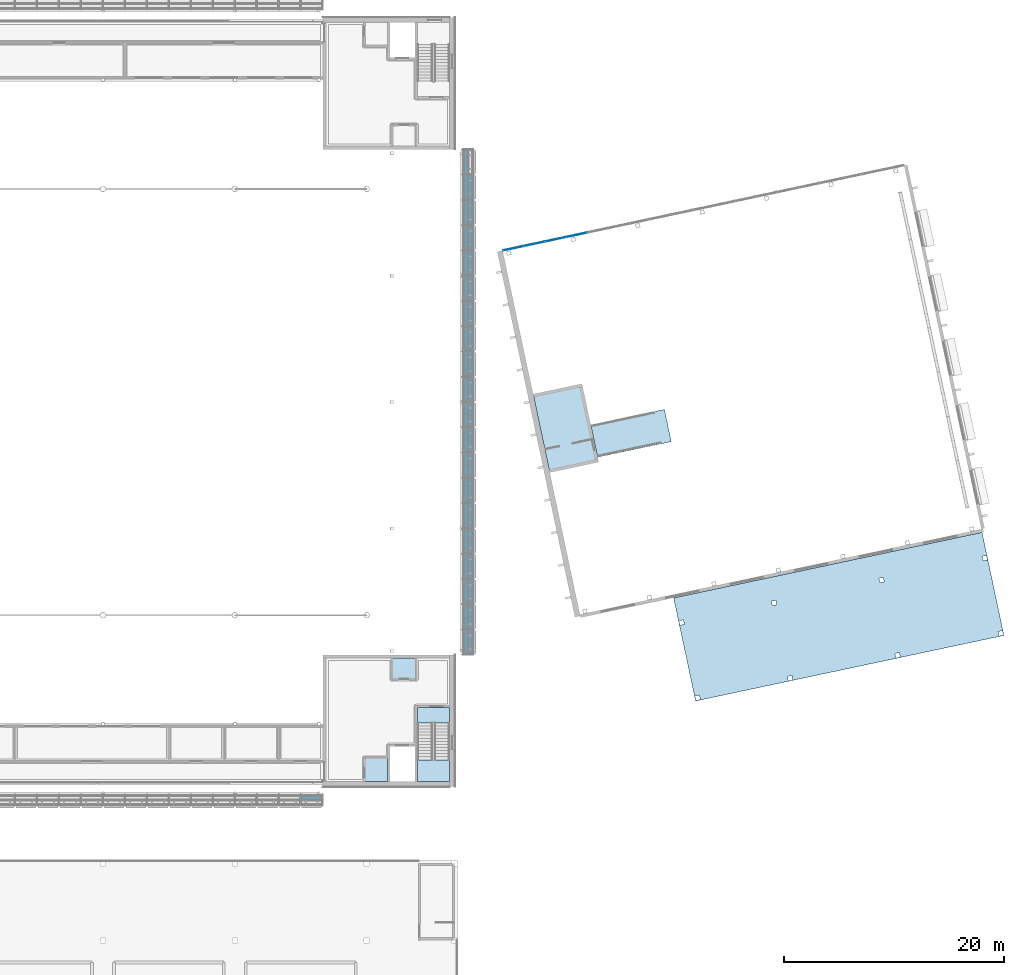
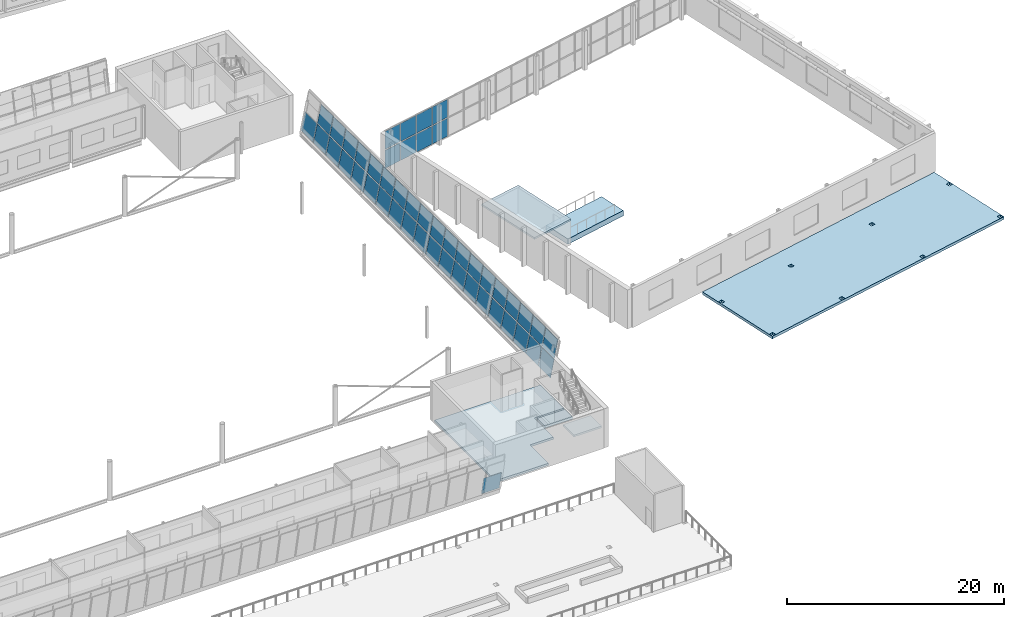
# One storey, part 45 of 95: 48 plates, 6 slabs, 4 elements without a shape of their own.
"""IFC4 building model written with IfcOpenShell, lengths in metres."""

from ifc_helpers import new_model, si_unit, direction, frame, origin, origin_2d, place, context, subcontext, project, spatial, polyline, rectangle, outline, extrude, material, layer, layer_set, type_object, element, aggregate, save


model = new_model("IFC4")

# Units and contexts
model_context = context("Model", 3, precision=1e-05, world=origin(), true_north=direction((0.0, 1.0)))
body_context = subcontext(model_context, "Body", "Model", "MODEL_VIEW")
ifc_project = project(units=[si_unit("LENGTHUNIT", "METRE"), si_unit("AREAUNIT", "SQUARE_METRE"), si_unit("VOLUMEUNIT", "CUBIC_METRE"), si_unit("PLANEANGLEUNIT", "RADIAN"), si_unit("MASSUNIT", "GRAM", prefix="KILO")], contexts=[model_context])

# Site, building, storey
site_placement = place(None, origin())
site = spatial("IfcSite", under=ifc_project, at=site_placement, CompositionType="ELEMENT")
building_placement = place(site_placement, origin())
building = spatial("IfcBuilding", under=site, at=building_placement, Name="Windward Yard Aquatics Centre", CompositionType="ELEMENT")
storey_placement = place(building_placement, frame((0.0, 0.0, 9.39990234375)))
storey = spatial("IfcBuildingStorey", under=building, at=storey_placement, Name="L02", CompositionType="ELEMENT", Elevation=9.39990234375)

# Curtain wall, plates
ifc_material_1 = material(Name="Aluminium and glass", Category="aluminium")
ifc_layer_1 = layer(ifc_material_1, 0.159912109375)
ifc_layer_set_1 = layer_set([ifc_layer_1], Name="D curtain wall 160")
curtain_wall_type_1 = type_object("IfcCurtainWallType", Name="D curtain wall 160", PredefinedType="NOTDEFINED", material=ifc_layer_set_1)
curtain_wall_1_placement = place(storey_placement, origin())
curtain_wall_1 = element("IfcCurtainWall", 1, at=curtain_wall_1_placement, inside=storey, type_object=curtain_wall_type_1, Name="North glazing L02", PredefinedType="NOTDEFINED")
ifc_material_2 = material(Name="Laminated low-iron glass", Category="glass")
ifc_layer_2 = layer(ifc_material_2, 0.028076171875)
ifc_layer_set_2 = layer_set([ifc_layer_2], Name="D curtain wall glass panel 28")
plate_type_1 = type_object("IfcPlateType", Name="D curtain wall glass panel 28", PredefinedType="CURTAIN_PANEL", material=ifc_layer_set_2)
plate_1_placement = place(storey_placement, frame((157.345947265625, 74.989501953125, 0.1201171875), z_axis=(0.0, 0.0, 1.0), x_axis=(0.978147594815, 0.207911718662, 0.0)))
plate_1 = element("IfcPlate", 2, at=plate_1_placement, type_object=plate_type_1, Name="DCW-L02 panel 1.1", PredefinedType="CURTAIN_PANEL", context=body_context, shape_type="SweptSolid", body=[
    extrude(rectangle(XDim=1.875732421875, YDim=0.028076171875, at=origin_2d()), origin(), (0.0, 0.0, 1.0), 2.02001953125),
])
plate_2_placement = place(storey_placement, frame((157.345947265625, 74.989501953125, 2.260009765625), z_axis=(0.0, 0.0, 1.0), x_axis=(0.978147594815, 0.207911718662, 0.0)))
plate_2 = element("IfcPlate", 3, at=plate_2_placement, type_object=plate_type_1, Name="DCW-L02 panel 1.2", PredefinedType="CURTAIN_PANEL", context=body_context, shape_type="SweptSolid", body=[
    extrude(rectangle(XDim=1.875732421875, YDim=0.028076171875, at=origin_2d()), origin(), (0.0, 0.0, 1.0), 2.02001953125),
])
plate_3_placement = place(storey_placement, frame((159.254150390625, 75.395263671875, 0.1201171875), z_axis=(0.0, 0.0, 1.0), x_axis=(0.978147594815, 0.207911718662, 0.0)))
plate_3 = element("IfcPlate", 4, at=plate_3_placement, type_object=plate_type_1, Name="DCW-L02 panel 2.1", PredefinedType="CURTAIN_PANEL", context=body_context, shape_type="SweptSolid", body=[
    extrude(rectangle(XDim=1.90576171875, YDim=0.028076171875, at=origin_2d()), origin(), (0.0, 0.0, 1.0), 2.02001953125),
])
plate_4_placement = place(storey_placement, frame((159.254150390625, 75.395263671875, 2.260009765625), z_axis=(0.0, 0.0, 1.0), x_axis=(0.978147594815, 0.207911718662, 0.0)))
plate_4 = element("IfcPlate", 5, at=plate_4_placement, type_object=plate_type_1, Name="DCW-L02 panel 2.2", PredefinedType="CURTAIN_PANEL", context=body_context, shape_type="SweptSolid", body=[
    extrude(rectangle(XDim=1.90576171875, YDim=0.028076171875, at=origin_2d()), origin(), (0.0, 0.0, 1.0), 2.02001953125),
])
plate_5_placement = place(storey_placement, frame((161.1767578125, 75.803955078125, 0.1201171875), z_axis=(0.0, 0.0, 1.0), x_axis=(0.978147594815, 0.207911718662, 0.0)))
plate_5 = element("IfcPlate", 6, at=plate_5_placement, type_object=plate_type_1, Name="DCW-L02 panel 3.1", PredefinedType="CURTAIN_PANEL", context=body_context, shape_type="SweptSolid", body=[
    extrude(rectangle(XDim=1.90576171875, YDim=0.028076171875, at=origin_2d()), origin(), (0.0, 0.0, 1.0), 2.02001953125),
])
plate_6_placement = place(storey_placement, frame((161.1767578125, 75.803955078125, 2.260009765625), z_axis=(0.0, 0.0, 1.0), x_axis=(0.978147594815, 0.207911718662, 0.0)))
plate_6 = element("IfcPlate", 7, at=plate_6_placement, type_object=plate_type_1, Name="DCW-L02 panel 3.2", PredefinedType="CURTAIN_PANEL", context=body_context, shape_type="SweptSolid", body=[
    extrude(rectangle(XDim=1.90576171875, YDim=0.028076171875, at=origin_2d()), origin(), (0.0, 0.0, 1.0), 2.02001953125),
])
plate_7_placement = place(storey_placement, frame((163.099609375, 76.212646484375, 0.1201171875), z_axis=(0.0, 0.0, 1.0), x_axis=(0.978147594815, 0.207911718662, 0.0)))
plate_7 = element("IfcPlate", 8, at=plate_7_placement, type_object=plate_type_1, Name="DCW-L02 panel 4.1", PredefinedType="CURTAIN_PANEL", context=body_context, shape_type="SweptSolid", body=[
    extrude(rectangle(XDim=1.90576171875, YDim=0.028076171875, at=origin_2d()), origin(), (0.0, 0.0, 1.0), 2.02001953125),
])
plate_8_placement = place(storey_placement, frame((163.099609375, 76.212646484375, 2.260009765625), z_axis=(0.0, 0.0, 1.0), x_axis=(0.978147594815, 0.207911718662, 0.0)))
plate_8 = element("IfcPlate", 9, at=plate_8_placement, type_object=plate_type_1, Name="DCW-L02 panel 4.2", PredefinedType="CURTAIN_PANEL", context=body_context, shape_type="SweptSolid", body=[
    extrude(rectangle(XDim=1.90576171875, YDim=0.028076171875, at=origin_2d()), origin(), (0.0, 0.0, 1.0), 2.02001953125),
])
aggregate(curtain_wall_1, [plate_1, plate_2, plate_3, plate_4, plate_5, plate_6, plate_7, plate_8])

# Slabs
ifc_material_3 = material(Name="Concrete C35/45", Category="concrete")
ifc_layer_3 = layer(ifc_material_3, 0.60009765625)
ifc_layer_set_3 = layer_set([ifc_layer_3], Name="D diving platform slab 600")
slab_type_1 = type_object("IfcSlabType", Name="D diving platform slab 600", PredefinedType="FLOOR", material=ifc_layer_set_3)
slab_1_placement = place(storey_placement, origin())
element("IfcSlab", 10, at=slab_1_placement, inside=storey, type_object=slab_type_1, Name="D.S.PF4", PredefinedType="FLOOR", context=body_context, shape_type="SweptSolid", body=[
    extrude(outline(polyline([(164.396484375, 58.904052734375), (165.020263671875, 55.969482421875), (171.720458984375, 57.393798828125), (171.0966796875, 60.328125), (164.396484375, 58.904052734375)])), origin(), (0.0, 0.0, 1.0), 0.60009765625),
])
ifc_material_4 = material(Name="Bituminous waterproofing membrane with root barrier")
ifc_layer_4 = layer(ifc_material_4, 0.005, Name="Waterproofing")
ifc_material_5 = material(Name="Mineral wool insulation")
ifc_layer_5 = layer(ifc_material_5, 0.08, Name="Insulation")
ifc_material_6 = material(Name="Cement screed laid to falls")
ifc_layer_6 = layer(ifc_material_6, 0.04, Name="Falls")
ifc_layer_7 = layer(ifc_material_3, 0.175, Name="Structure")
ifc_layer_set_4 = layer_set([ifc_layer_4, ifc_layer_5, ifc_layer_6, ifc_layer_7], Name="D roof slab 300")
slab_type_2 = type_object("IfcSlabType", Name="D roof slab 300", PredefinedType="ROOF", material=ifc_layer_set_4)
slab_2_placement = place(storey_placement, frame((0.0, 0.0, -0.2998046875)))
element("IfcSlab", 11, at=slab_2_placement, inside=storey, type_object=slab_type_2, Name="D.S.L02", PredefinedType="ROOF", context=body_context, shape_type="SweptSolid", body=[
    extrude(outline(polyline([(171.930908203125, 43.1767578125), (173.927001953125, 33.78662109375), (201.999755859375, 39.753662109375), (200.00390625, 49.143798828125), (171.930908203125, 43.1767578125)]), holes=[polyline([(173.882080078125, 34.2373046875), (174.2734375, 34.3203125), (174.356689453125, 33.92919921875), (173.96533203125, 33.845947265625), (173.882080078125, 34.2373046875)]), polyline([(182.294189453125, 36.025146484375), (182.685546875, 36.1083984375), (182.768798828125, 35.717041015625), (182.37744140625, 35.634033203125), (182.294189453125, 36.025146484375)]), polyline([(192.07568359375, 38.104248046875), (192.467041015625, 38.1875), (192.55029296875, 37.796142578125), (192.158935546875, 37.713134765625), (192.07568359375, 38.104248046875)]), polyline([(201.466064453125, 40.100341796875), (201.857421875, 40.18359375), (201.9404296875, 39.792236328125), (201.54931640625, 39.708984375), (201.466064453125, 40.100341796875)]), polyline([(172.4267578125, 41.084228515625), (172.818115234375, 41.16748046875), (172.9013671875, 40.776123046875), (172.510009765625, 40.693115234375), (172.4267578125, 41.084228515625)]), polyline([(180.8388671875, 42.872314453125), (181.230224609375, 42.955322265625), (181.313232421875, 42.564208984375), (180.922119140625, 42.48095703125), (180.8388671875, 42.872314453125)]), polyline([(190.620361328125, 44.951416015625), (191.01171875, 45.034423828125), (191.0947265625, 44.643310546875), (190.70361328125, 44.56005859375), (190.620361328125, 44.951416015625)]), polyline([(200.010498046875, 46.947265625), (200.40185546875, 47.030517578125), (200.485107421875, 46.63916015625), (200.09375, 46.55615234375), (200.010498046875, 46.947265625)])]), origin(), (0.0, 0.0, 1.0), 0.2998046875),
])
ifc_layer_8 = layer(ifc_material_3, 0.199951171875)
ifc_layer_set_5 = layer_set([ifc_layer_8], Name="D tower roof slab 200")
slab_type_3 = type_object("IfcSlabType", Name="D tower roof slab 200", PredefinedType="ROOF", material=ifc_layer_set_5)
slab_3_placement = place(storey_placement, frame((0.0, 0.0, 2.900146484375)))
element("IfcSlab", 12, at=slab_3_placement, inside=storey, type_object=slab_type_3, Name="D.S.TCR", PredefinedType="ROOF", context=body_context, shape_type="SweptSolid", body=[
    extrude(outline(polyline([(159.1455078125, 61.723876953125), (160.6630859375, 54.58349609375), (165.11376953125, 55.529296875), (163.595947265625, 62.669921875), (159.1455078125, 61.723876953125)])), origin(), (0.0, 0.0, 1.0), 0.199951171875),
])
ifc_layer_9 = layer(ifc_material_3, 0.25)
ifc_layer_set_6 = layer_set([ifc_layer_9], Name="H Core Floor Concrete C35/45 250")
slab_type_4 = type_object("IfcSlabType", Name="H Core Floor Concrete C35/45 250", PredefinedType="FLOOR", material=ifc_layer_set_6)
slab_4_placement = place(storey_placement, frame((0.0, 0.0, -0.25)))
element("IfcSlab", 13, at=slab_4_placement, inside=storey, type_object=slab_type_4, Name="L02 core floor SE", PredefinedType="FLOOR", context=body_context, shape_type="SweptSolid", body=[
    extrude(outline(polyline([(140.300048828125, 26.449951171875), (145.89990234375, 26.449951171875), (145.89990234375, 29.85009765625), (148.39990234375, 29.85009765625), (148.39990234375, 33.39990234375), (151.550048828125, 33.39990234375), (151.550048828125, 37.699951171875), (140.300048828125, 37.699951171875), (140.300048828125, 26.449951171875)])), origin(), (0.0, 0.0, 1.0), 0.25),
])
slab_5_placement = place(storey_placement, frame((0.0, 0.0, -0.25)))
element("IfcSlab", 14, at=slab_5_placement, inside=storey, type_object=slab_type_4, Name="L02 stair floor landing SE", PredefinedType="FLOOR", context=body_context, shape_type="SweptSolid", body=[
    extrude(outline(polyline([(148.60009765625, 31.800048828125), (151.550048828125, 31.800048828125), (151.550048828125, 33.199951171875), (148.60009765625, 33.199951171875), (148.60009765625, 31.800048828125)])), origin(), (0.0, 0.0, 1.0), 0.25),
])

# Stair, slab
stair_type = type_object("IfcStairType", Name="H Core Stair Concrete C35/45 1400", PredefinedType="HALF_TURN_STAIR", material=ifc_material_3)
stair_placement = place(storey_placement, origin())
stair = element("IfcStair", 15, at=stair_placement, inside=storey, type_object=stair_type, Name="L02 Stair SE", PredefinedType="HALF_TURN_STAIR")
ifc_layer_10 = layer(ifc_material_3, 0.199951171875)
ifc_layer_set_7 = layer_set([ifc_layer_10], Name="H Stair Landing Concrete C35/45 200")
slab_type_5 = type_object("IfcSlabType", Name="H Stair Landing Concrete C35/45 200", PredefinedType="LANDING", material=ifc_layer_set_7)
slab_6_placement = place(storey_placement, frame((0.0, 0.0, 2.0)))
slab_6 = element("IfcSlab", 16, at=slab_6_placement, type_object=slab_type_5, Name="ST2 landing 1", PredefinedType="LANDING", context=body_context, shape_type="SweptSolid", body=[
    extrude(outline(polyline([(148.60009765625, 26.449951171875), (151.550048828125, 26.449951171875), (151.550048828125, 28.43994140625), (148.60009765625, 28.43994140625), (148.60009765625, 26.449951171875)])), origin(), (0.0, 0.0, 1.0), 0.2001953125),
])
aggregate(stair, [slab_6])

# Curtain wall, plate
ifc_material_7 = material(Name="Glass and aluminium curtain wall", Category="aluminium")
ifc_layer_11 = layer(ifc_material_7, 0.179931640625)
ifc_layer_set_8 = layer_set([ifc_layer_11], Name="H curtain wall tier 1 double glazed 8+16+8")
curtain_wall_type_2 = type_object("IfcCurtainWallType", Name="H curtain wall tier 1 double glazed 8+16+8", PredefinedType="NOTDEFINED", material=ifc_layer_set_8)
curtain_wall_2_placement = place(storey_placement, origin())
curtain_wall_2 = element("IfcCurtainWall", 17, at=curtain_wall_2_placement, inside=storey, type_object=curtain_wall_type_2, Name="Tier 1 glazing S L02", PredefinedType="NOTDEFINED")
ifc_material_8 = material(Name="Low-iron glass", Category="glass")
ifc_layer_12 = layer(ifc_material_8, 0.008, Name="Outer pane")
ifc_material_9 = material(Name="Argon-filled cavity")
ifc_layer_13 = layer(ifc_material_9, 0.016, Name="Cavity")
ifc_layer_14 = layer(ifc_material_8, 0.008, Name="Inner pane")
ifc_layer_set_9 = layer_set([ifc_layer_12, ifc_layer_13, ifc_layer_14], Name="H tier 1 glass low-e double glazed unit 32")
plate_type_2 = type_object("IfcPlateType", Name="H tier 1 glass low-e double glazed unit 32", PredefinedType="CURTAIN_PANEL", material=ifc_layer_set_9)
plate_9_placement = place(storey_placement, frame((138.03271484375, 24.7900390625, 2.079345703125), z_axis=(0.0, 0.979933459069, 0.199324900092), x_axis=(0.0, 0.199324900092, -0.979933459069)))
plate_9 = element("IfcPlate", 18, at=plate_9_placement, type_object=plate_type_2, Name="G1SB panel 19.1", PredefinedType="CURTAIN_PANEL", context=body_context, shape_type="SweptSolid", body=[
    extrude(outline(polyline([(0.0, 0.0), (2.018532, 0.0), (2.018532, -1.902344), (0.0, -1.902344), (0.0, 0.0)])), origin(), (0.0, 0.0, -1.0), 0.031982421875),
])
aggregate(curtain_wall_2, [plate_9])

# Curtain wall, plates
curtain_wall_3_placement = place(storey_placement, origin())
curtain_wall_3 = element("IfcCurtainWall", 19, at=curtain_wall_3_placement, inside=storey, type_object=curtain_wall_type_2, Name="Tier 1 glazing E L02", PredefinedType="NOTDEFINED")
plate_10_placement = place(storey_placement, frame((152.8076171875, 38.06494140625, 0.101318359375), z_axis=(-0.979933459069, 0.0, 0.199324900092), x_axis=(0.0, 1.0, 0.0)))
plate_10 = element("IfcPlate", 20, at=plate_10_placement, type_object=plate_type_2, Name="G1EA panel 1.1", PredefinedType="CURTAIN_PANEL", context=body_context, shape_type="SweptSolid", body=[
    extrude(outline(polyline([(0.0, 0.0), (2.202637, 0.0), (2.202637, -2.018532), (0.0, -2.018532), (0.0, 0.0)])), origin(), (0.0, 0.0, -1.0), 0.031982421875),
])
plate_11_placement = place(storey_placement, frame((153.22998046875, 38.06494140625, 2.17724609375), z_axis=(-0.979926619255, 0.0, 0.199358523457), x_axis=(0.0, 1.0, 0.0)))
plate_11 = element("IfcPlate", 21, at=plate_11_placement, type_object=plate_type_2, Name="G1EA panel 1.2", PredefinedType="CURTAIN_PANEL", context=body_context, shape_type="SweptSolid", body=[
    extrude(outline(polyline([(0.0, 0.0), (2.202637, 0.0), (2.202637, -2.012069), (0.0, -2.012069), (0.0, 0.0)])), origin(), (0.0, 0.0, -1.0), 0.031982421875),
])
plate_12_placement = place(storey_placement, frame((152.8076171875, 40.33251953125, 0.101318359375), z_axis=(-0.979933459069, 0.0, 0.199324900092), x_axis=(0.0, 1.0, 0.0)))
plate_12 = element("IfcPlate", 22, at=plate_12_placement, type_object=plate_type_2, Name="G1EA panel 2.1", PredefinedType="CURTAIN_PANEL", context=body_context, shape_type="SweptSolid", body=[
    extrude(outline(polyline([(0.0, 0.0), (2.234863, 0.0), (2.234863, -2.018532), (0.0, -2.018532), (0.0, 0.0)])), origin(), (0.0, 0.0, -1.0), 0.031982421875),
])
plate_13_placement = place(storey_placement, frame((153.22998046875, 40.33251953125, 2.17724609375), z_axis=(-0.979926619255, 0.0, 0.199358523457), x_axis=(0.0, 1.0, 0.0)))
plate_13 = element("IfcPlate", 23, at=plate_13_placement, type_object=plate_type_2, Name="G1EA panel 2.2", PredefinedType="CURTAIN_PANEL", context=body_context, shape_type="SweptSolid", body=[
    extrude(outline(polyline([(0.0, 0.0), (2.234863, 0.0), (2.234863, -2.012069), (0.0, -2.012069), (0.0, 0.0)])), origin(), (0.0, 0.0, -1.0), 0.031982421875),
])
plate_14_placement = place(storey_placement, frame((152.8076171875, 42.632568359375, 0.101318359375), z_axis=(-0.979933459069, 0.0, 0.199324900092), x_axis=(0.0, 1.0, 0.0)))
plate_14 = element("IfcPlate", 24, at=plate_14_placement, type_object=plate_type_2, Name="G1EA panel 3.1", PredefinedType="CURTAIN_PANEL", context=body_context, shape_type="SweptSolid", body=[
    extrude(outline(polyline([(0.0, 0.0), (2.234863, 0.0), (2.234863, -2.018532), (0.0, -2.018532), (0.0, 0.0)])), origin(), (0.0, 0.0, -1.0), 0.031982421875),
])
plate_15_placement = place(storey_placement, frame((153.22998046875, 42.632568359375, 2.17724609375), z_axis=(-0.979926619255, 0.0, 0.199358523457), x_axis=(0.0, 1.0, 0.0)))
plate_15 = element("IfcPlate", 25, at=plate_15_placement, type_object=plate_type_2, Name="G1EA panel 3.2", PredefinedType="CURTAIN_PANEL", context=body_context, shape_type="SweptSolid", body=[
    extrude(outline(polyline([(0.0, 0.0), (2.234863, 0.0), (2.234863, -2.012069), (0.0, -2.012069), (0.0, 0.0)])), origin(), (0.0, 0.0, -1.0), 0.031982421875),
])
plate_16_placement = place(storey_placement, frame((152.8076171875, 44.9326171875, 0.101318359375), z_axis=(-0.979933459069, 0.0, 0.199324900092), x_axis=(0.0, 1.0, 0.0)))
plate_16 = element("IfcPlate", 26, at=plate_16_placement, type_object=plate_type_2, Name="G1EA panel 4.1", PredefinedType="CURTAIN_PANEL", context=body_context, shape_type="SweptSolid", body=[
    extrude(outline(polyline([(0.0, 0.0), (2.234863, 0.0), (2.234863, -2.018532), (0.0, -2.018532), (0.0, 0.0)])), origin(), (0.0, 0.0, -1.0), 0.031982421875),
])
plate_17_placement = place(storey_placement, frame((153.22998046875, 44.9326171875, 2.17724609375), z_axis=(-0.979926619255, 0.0, 0.199358523457), x_axis=(0.0, 1.0, 0.0)))
plate_17 = element("IfcPlate", 27, at=plate_17_placement, type_object=plate_type_2, Name="G1EA panel 4.2", PredefinedType="CURTAIN_PANEL", context=body_context, shape_type="SweptSolid", body=[
    extrude(outline(polyline([(0.0, 0.0), (2.234863, 0.0), (2.234863, -2.012069), (0.0, -2.012069), (0.0, 0.0)])), origin(), (0.0, 0.0, -1.0), 0.031982421875),
])
plate_18_placement = place(storey_placement, frame((152.8076171875, 47.232421875, 0.101318359375), z_axis=(-0.979933459069, 0.0, 0.199324900092), x_axis=(0.0, 1.0, 0.0)))
plate_18 = element("IfcPlate", 28, at=plate_18_placement, type_object=plate_type_2, Name="G1EA panel 5.1", PredefinedType="CURTAIN_PANEL", context=body_context, shape_type="SweptSolid", body=[
    extrude(outline(polyline([(0.0, 0.0), (2.235107, 0.0), (2.235107, -2.018532), (0.0, -2.018532), (0.0, 0.0)])), origin(), (0.0, 0.0, -1.0), 0.031982421875),
])
plate_19_placement = place(storey_placement, frame((153.22998046875, 47.232421875, 2.17724609375), z_axis=(-0.979926619255, 0.0, 0.199358523457), x_axis=(0.0, 1.0, 0.0)))
plate_19 = element("IfcPlate", 29, at=plate_19_placement, type_object=plate_type_2, Name="G1EA panel 5.2", PredefinedType="CURTAIN_PANEL", context=body_context, shape_type="SweptSolid", body=[
    extrude(outline(polyline([(0.0, 0.0), (2.235107, 0.0), (2.235107, -2.012069), (0.0, -2.012069), (0.0, 0.0)])), origin(), (0.0, 0.0, -1.0), 0.031982421875),
])
plate_20_placement = place(storey_placement, frame((152.8076171875, 49.532470703125, 0.101318359375), z_axis=(-0.979933459069, 0.0, 0.199324900092), x_axis=(0.0, 1.0, 0.0)))
plate_20 = element("IfcPlate", 30, at=plate_20_placement, type_object=plate_type_2, Name="G1EA panel 6.1", PredefinedType="CURTAIN_PANEL", context=body_context, shape_type="SweptSolid", body=[
    extrude(outline(polyline([(0.0, 0.0), (2.235107, 0.0), (2.235107, -2.018532), (0.0, -2.018532), (0.0, 0.0)])), origin(), (0.0, 0.0, -1.0), 0.031982421875),
])
plate_21_placement = place(storey_placement, frame((153.22998046875, 49.532470703125, 2.17724609375), z_axis=(-0.979926619255, 0.0, 0.199358523457), x_axis=(0.0, 1.0, 0.0)))
plate_21 = element("IfcPlate", 31, at=plate_21_placement, type_object=plate_type_2, Name="G1EA panel 6.2", PredefinedType="CURTAIN_PANEL", context=body_context, shape_type="SweptSolid", body=[
    extrude(outline(polyline([(0.0, 0.0), (2.235107, 0.0), (2.235107, -2.012069), (0.0, -2.012069), (0.0, 0.0)])), origin(), (0.0, 0.0, -1.0), 0.031982421875),
])
plate_22_placement = place(storey_placement, frame((152.8076171875, 51.83251953125, 0.101318359375), z_axis=(-0.979933459069, 0.0, 0.199324900092), x_axis=(0.0, 1.0, 0.0)))
plate_22 = element("IfcPlate", 32, at=plate_22_placement, type_object=plate_type_2, Name="G1EA panel 7.1", PredefinedType="CURTAIN_PANEL", context=body_context, shape_type="SweptSolid", body=[
    extrude(outline(polyline([(0.0, 0.0), (2.234863, 0.0), (2.234863, -2.018532), (0.0, -2.018532), (0.0, 0.0)])), origin(), (0.0, 0.0, -1.0), 0.031982421875),
])
plate_23_placement = place(storey_placement, frame((153.22998046875, 51.83251953125, 2.17724609375), z_axis=(-0.979926619255, 0.0, 0.199358523457), x_axis=(0.0, 1.0, 0.0)))
plate_23 = element("IfcPlate", 33, at=plate_23_placement, type_object=plate_type_2, Name="G1EA panel 7.2", PredefinedType="CURTAIN_PANEL", context=body_context, shape_type="SweptSolid", body=[
    extrude(outline(polyline([(0.0, 0.0), (2.234863, 0.0), (2.234863, -2.012069), (0.0, -2.012069), (0.0, 0.0)])), origin(), (0.0, 0.0, -1.0), 0.031982421875),
])
plate_24_placement = place(storey_placement, frame((152.8076171875, 54.132568359375, 0.101318359375), z_axis=(-0.979933459069, 0.0, 0.199324900092), x_axis=(0.0, 1.0, 0.0)))
plate_24 = element("IfcPlate", 34, at=plate_24_placement, type_object=plate_type_2, Name="G1EA panel 8.1", PredefinedType="CURTAIN_PANEL", context=body_context, shape_type="SweptSolid", body=[
    extrude(outline(polyline([(0.0, 0.0), (2.234863, 0.0), (2.234863, -2.018532), (0.0, -2.018532), (0.0, 0.0)])), origin(), (0.0, 0.0, -1.0), 0.031982421875),
])
plate_25_placement = place(storey_placement, frame((153.22998046875, 54.132568359375, 2.17724609375), z_axis=(-0.979926619255, 0.0, 0.199358523457), x_axis=(0.0, 1.0, 0.0)))
plate_25 = element("IfcPlate", 35, at=plate_25_placement, type_object=plate_type_2, Name="G1EA panel 8.2", PredefinedType="CURTAIN_PANEL", context=body_context, shape_type="SweptSolid", body=[
    extrude(outline(polyline([(0.0, 0.0), (2.234863, 0.0), (2.234863, -2.012069), (0.0, -2.012069), (0.0, 0.0)])), origin(), (0.0, 0.0, -1.0), 0.031982421875),
])
plate_26_placement = place(storey_placement, frame((152.8076171875, 56.4326171875, 0.101318359375), z_axis=(-0.979933459069, 0.0, 0.199324900092), x_axis=(0.0, 1.0, 0.0)))
plate_26 = element("IfcPlate", 36, at=plate_26_placement, type_object=plate_type_2, Name="G1EA panel 9.1", PredefinedType="CURTAIN_PANEL", context=body_context, shape_type="SweptSolid", body=[
    extrude(outline(polyline([(0.0, 0.0), (2.234863, 0.0), (2.234863, -2.018532), (0.0, -2.018532), (0.0, 0.0)])), origin(), (0.0, 0.0, -1.0), 0.031982421875),
])
plate_27_placement = place(storey_placement, frame((153.22998046875, 56.4326171875, 2.17724609375), z_axis=(-0.979926619255, 0.0, 0.199358523457), x_axis=(0.0, 1.0, 0.0)))
plate_27 = element("IfcPlate", 37, at=plate_27_placement, type_object=plate_type_2, Name="G1EA panel 9.2", PredefinedType="CURTAIN_PANEL", context=body_context, shape_type="SweptSolid", body=[
    extrude(outline(polyline([(0.0, 0.0), (2.234863, 0.0), (2.234863, -2.012069), (0.0, -2.012069), (0.0, 0.0)])), origin(), (0.0, 0.0, -1.0), 0.031982421875),
])
plate_28_placement = place(storey_placement, frame((152.8076171875, 58.732421875, 0.101318359375), z_axis=(-0.979933459069, 0.0, 0.199324900092), x_axis=(0.0, 1.0, 0.0)))
plate_28 = element("IfcPlate", 38, at=plate_28_placement, type_object=plate_type_2, Name="G1EA panel 10.1", PredefinedType="CURTAIN_PANEL", context=body_context, shape_type="SweptSolid", body=[
    extrude(outline(polyline([(0.0, 0.0), (2.235107, 0.0), (2.235107, -2.018532), (0.0, -2.018532), (0.0, 0.0)])), origin(), (0.0, 0.0, -1.0), 0.031982421875),
])
plate_29_placement = place(storey_placement, frame((153.22998046875, 58.732421875, 2.17724609375), z_axis=(-0.979926619255, 0.0, 0.199358523457), x_axis=(0.0, 1.0, 0.0)))
plate_29 = element("IfcPlate", 39, at=plate_29_placement, type_object=plate_type_2, Name="G1EA panel 10.2", PredefinedType="CURTAIN_PANEL", context=body_context, shape_type="SweptSolid", body=[
    extrude(outline(polyline([(0.0, 0.0), (2.235107, 0.0), (2.235107, -2.012069), (0.0, -2.012069), (0.0, 0.0)])), origin(), (0.0, 0.0, -1.0), 0.031982421875),
])
plate_30_placement = place(storey_placement, frame((152.8076171875, 61.032470703125, 0.101318359375), z_axis=(-0.979933459069, 0.0, 0.199324900092), x_axis=(0.0, 1.0, 0.0)))
plate_30 = element("IfcPlate", 40, at=plate_30_placement, type_object=plate_type_2, Name="G1EA panel 11.1", PredefinedType="CURTAIN_PANEL", context=body_context, shape_type="SweptSolid", body=[
    extrude(outline(polyline([(0.0, 0.0), (2.235107, 0.0), (2.235107, -2.018532), (0.0, -2.018532), (0.0, 0.0)])), origin(), (0.0, 0.0, -1.0), 0.031982421875),
])
plate_31_placement = place(storey_placement, frame((153.22998046875, 61.032470703125, 2.17724609375), z_axis=(-0.979926619255, 0.0, 0.199358523457), x_axis=(0.0, 1.0, 0.0)))
plate_31 = element("IfcPlate", 41, at=plate_31_placement, type_object=plate_type_2, Name="G1EA panel 11.2", PredefinedType="CURTAIN_PANEL", context=body_context, shape_type="SweptSolid", body=[
    extrude(outline(polyline([(0.0, 0.0), (2.235107, 0.0), (2.235107, -2.012069), (0.0, -2.012069), (0.0, 0.0)])), origin(), (0.0, 0.0, -1.0), 0.031982421875),
])
plate_32_placement = place(storey_placement, frame((152.8076171875, 63.33251953125, 0.101318359375), z_axis=(-0.979933459069, 0.0, 0.199324900092), x_axis=(0.0, 1.0, 0.0)))
plate_32 = element("IfcPlate", 42, at=plate_32_placement, type_object=plate_type_2, Name="G1EA panel 12.1", PredefinedType="CURTAIN_PANEL", context=body_context, shape_type="SweptSolid", body=[
    extrude(outline(polyline([(0.0, 0.0), (2.234863, 0.0), (2.234863, -2.018532), (0.0, -2.018532), (0.0, 0.0)])), origin(), (0.0, 0.0, -1.0), 0.031982421875),
])
plate_33_placement = place(storey_placement, frame((153.22998046875, 63.33251953125, 2.17724609375), z_axis=(-0.979926619255, 0.0, 0.199358523457), x_axis=(0.0, 1.0, 0.0)))
plate_33 = element("IfcPlate", 43, at=plate_33_placement, type_object=plate_type_2, Name="G1EA panel 12.2", PredefinedType="CURTAIN_PANEL", context=body_context, shape_type="SweptSolid", body=[
    extrude(outline(polyline([(0.0, 0.0), (2.234863, 0.0), (2.234863, -2.012069), (0.0, -2.012069), (0.0, 0.0)])), origin(), (0.0, 0.0, -1.0), 0.031982421875),
])
plate_34_placement = place(storey_placement, frame((152.8076171875, 65.632568359375, 0.101318359375), z_axis=(-0.979933459069, 0.0, 0.199324900092), x_axis=(0.0, 1.0, 0.0)))
plate_34 = element("IfcPlate", 44, at=plate_34_placement, type_object=plate_type_2, Name="G1EA panel 13.1", PredefinedType="CURTAIN_PANEL", context=body_context, shape_type="SweptSolid", body=[
    extrude(outline(polyline([(0.0, 0.0), (2.234863, 0.0), (2.234863, -2.018532), (0.0, -2.018532), (0.0, 0.0)])), origin(), (0.0, 0.0, -1.0), 0.031982421875),
])
plate_35_placement = place(storey_placement, frame((153.22998046875, 65.632568359375, 2.17724609375), z_axis=(-0.979926619255, 0.0, 0.199358523457), x_axis=(0.0, 1.0, 0.0)))
plate_35 = element("IfcPlate", 45, at=plate_35_placement, type_object=plate_type_2, Name="G1EA panel 13.2", PredefinedType="CURTAIN_PANEL", context=body_context, shape_type="SweptSolid", body=[
    extrude(outline(polyline([(0.0, 0.0), (2.234863, 0.0), (2.234863, -2.012069), (0.0, -2.012069), (0.0, 0.0)])), origin(), (0.0, 0.0, -1.0), 0.031982421875),
])
plate_36_placement = place(storey_placement, frame((152.8076171875, 67.9326171875, 0.101318359375), z_axis=(-0.979933459069, 0.0, 0.199324900092), x_axis=(0.0, 1.0, 0.0)))
plate_36 = element("IfcPlate", 46, at=plate_36_placement, type_object=plate_type_2, Name="G1EA panel 14.1", PredefinedType="CURTAIN_PANEL", context=body_context, shape_type="SweptSolid", body=[
    extrude(outline(polyline([(0.0, 0.0), (2.234863, 0.0), (2.234863, -2.018532), (0.0, -2.018532), (0.0, 0.0)])), origin(), (0.0, 0.0, -1.0), 0.031982421875),
])
plate_37_placement = place(storey_placement, frame((153.22998046875, 67.9326171875, 2.17724609375), z_axis=(-0.979926619255, 0.0, 0.199358523457), x_axis=(0.0, 1.0, 0.0)))
plate_37 = element("IfcPlate", 47, at=plate_37_placement, type_object=plate_type_2, Name="G1EA panel 14.2", PredefinedType="CURTAIN_PANEL", context=body_context, shape_type="SweptSolid", body=[
    extrude(outline(polyline([(0.0, 0.0), (2.234863, 0.0), (2.234863, -2.012069), (0.0, -2.012069), (0.0, 0.0)])), origin(), (0.0, 0.0, -1.0), 0.031982421875),
])
plate_38_placement = place(storey_placement, frame((152.8076171875, 70.232421875, 0.101318359375), z_axis=(-0.979933459069, 0.0, 0.199324900092), x_axis=(0.0, 1.0, 0.0)))
plate_38 = element("IfcPlate", 48, at=plate_38_placement, type_object=plate_type_2, Name="G1EA panel 15.1", PredefinedType="CURTAIN_PANEL", context=body_context, shape_type="SweptSolid", body=[
    extrude(outline(polyline([(0.0, 0.0), (2.235107, 0.0), (2.235107, -2.018532), (0.0, -2.018532), (0.0, 0.0)])), origin(), (0.0, 0.0, -1.0), 0.031982421875),
])
plate_39_placement = place(storey_placement, frame((153.22998046875, 70.232421875, 2.17724609375), z_axis=(-0.979926619255, 0.0, 0.199358523457), x_axis=(0.0, 1.0, 0.0)))
plate_39 = element("IfcPlate", 49, at=plate_39_placement, type_object=plate_type_2, Name="G1EA panel 15.2", PredefinedType="CURTAIN_PANEL", context=body_context, shape_type="SweptSolid", body=[
    extrude(outline(polyline([(0.0, 0.0), (2.235107, 0.0), (2.235107, -2.012069), (0.0, -2.012069), (0.0, 0.0)])), origin(), (0.0, 0.0, -1.0), 0.031982421875),
])
plate_40_placement = place(storey_placement, frame((152.8076171875, 72.532470703125, 0.101318359375), z_axis=(-0.979933459069, 0.0, 0.199324900092), x_axis=(0.0, 1.0, 0.0)))
plate_40 = element("IfcPlate", 50, at=plate_40_placement, type_object=plate_type_2, Name="G1EA panel 16.1", PredefinedType="CURTAIN_PANEL", context=body_context, shape_type="SweptSolid", body=[
    extrude(outline(polyline([(0.0, 0.0), (2.235107, 0.0), (2.235107, -2.018532), (0.0, -2.018532), (0.0, 0.0)])), origin(), (0.0, 0.0, -1.0), 0.031982421875),
])
plate_41_placement = place(storey_placement, frame((153.22998046875, 72.532470703125, 2.17724609375), z_axis=(-0.979926619255, 0.0, 0.199358523457), x_axis=(0.0, 1.0, 0.0)))
plate_41 = element("IfcPlate", 51, at=plate_41_placement, type_object=plate_type_2, Name="G1EA panel 16.2", PredefinedType="CURTAIN_PANEL", context=body_context, shape_type="SweptSolid", body=[
    extrude(outline(polyline([(0.0, 0.0), (2.235107, 0.0), (2.235107, -2.012069), (0.0, -2.012069), (0.0, 0.0)])), origin(), (0.0, 0.0, -1.0), 0.031982421875),
])
plate_42_placement = place(storey_placement, frame((152.8076171875, 74.83251953125, 0.101318359375), z_axis=(-0.979933459069, 0.0, 0.199324900092), x_axis=(0.0, 1.0, 0.0)))
plate_42 = element("IfcPlate", 52, at=plate_42_placement, type_object=plate_type_2, Name="G1EA panel 17.1", PredefinedType="CURTAIN_PANEL", context=body_context, shape_type="SweptSolid", body=[
    extrude(outline(polyline([(0.0, 0.0), (2.234863, 0.0), (2.234863, -2.018532), (0.0, -2.018532), (0.0, 0.0)])), origin(), (0.0, 0.0, -1.0), 0.031982421875),
])
plate_43_placement = place(storey_placement, frame((153.22998046875, 74.83251953125, 2.17724609375), z_axis=(-0.979926619255, 0.0, 0.199358523457), x_axis=(0.0, 1.0, 0.0)))
plate_43 = element("IfcPlate", 53, at=plate_43_placement, type_object=plate_type_2, Name="G1EA panel 17.2", PredefinedType="CURTAIN_PANEL", context=body_context, shape_type="SweptSolid", body=[
    extrude(outline(polyline([(0.0, 0.0), (2.234863, 0.0), (2.234863, -2.012069), (0.0, -2.012069), (0.0, 0.0)])), origin(), (0.0, 0.0, -1.0), 0.031982421875),
])
plate_44_placement = place(storey_placement, frame((152.8076171875, 77.132568359375, 0.101318359375), z_axis=(-0.979933459069, 0.0, 0.199324900092), x_axis=(0.0, 1.0, 0.0)))
plate_44 = element("IfcPlate", 54, at=plate_44_placement, type_object=plate_type_2, Name="G1EA panel 18.1", PredefinedType="CURTAIN_PANEL", context=body_context, shape_type="SweptSolid", body=[
    extrude(outline(polyline([(0.0, 0.0), (2.234863, 0.0), (2.234863, -2.018532), (0.0, -2.018532), (0.0, 0.0)])), origin(), (0.0, 0.0, -1.0), 0.031982421875),
])
plate_45_placement = place(storey_placement, frame((153.22998046875, 77.132568359375, 2.17724609375), z_axis=(-0.979926619255, 0.0, 0.199358523457), x_axis=(0.0, 1.0, 0.0)))
plate_45 = element("IfcPlate", 55, at=plate_45_placement, type_object=plate_type_2, Name="G1EA panel 18.2", PredefinedType="CURTAIN_PANEL", context=body_context, shape_type="SweptSolid", body=[
    extrude(outline(polyline([(0.0, 0.0), (2.234863, 0.0), (2.234863, -2.012069), (0.0, -2.012069), (0.0, 0.0)])), origin(), (0.0, 0.0, -1.0), 0.031982421875),
])
plate_46_placement = place(storey_placement, frame((152.8076171875, 79.4326171875, 0.101318359375), z_axis=(-0.979933459069, 0.0, 0.199324900092), x_axis=(0.0, 1.0, 0.0)))
plate_46 = element("IfcPlate", 56, at=plate_46_placement, type_object=plate_type_2, Name="G1EA panel 19.1", PredefinedType="CURTAIN_PANEL", context=body_context, shape_type="SweptSolid", body=[
    extrude(outline(polyline([(0.0, 0.0), (2.234863, 0.0), (2.234863, -2.018532), (0.0, -2.018532), (0.0, 0.0)])), origin(), (0.0, 0.0, -1.0), 0.031982421875),
])
plate_47_placement = place(storey_placement, frame((153.22998046875, 79.4326171875, 2.17724609375), z_axis=(-0.979926619255, 0.0, 0.199358523457), x_axis=(0.0, 1.0, 0.0)))
plate_47 = element("IfcPlate", 57, at=plate_47_placement, type_object=plate_type_2, Name="G1EA panel 19.2", PredefinedType="CURTAIN_PANEL", context=body_context, shape_type="SweptSolid", body=[
    extrude(outline(polyline([(0.0, 0.0), (2.234863, 0.0), (2.234863, -2.012069), (0.0, -2.012069), (0.0, 0.0)])), origin(), (0.0, 0.0, -1.0), 0.031982421875),
])
plate_48_placement = place(storey_placement, frame((152.8076171875, 81.732421875, 0.101318359375), z_axis=(-0.979933459069, 0.0, 0.199324900092), x_axis=(0.0, 1.0, 0.0)))
plate_48 = element("IfcPlate", 58, at=plate_48_placement, type_object=plate_type_2, Name="G1EA panel 20.1", PredefinedType="CURTAIN_PANEL", context=body_context, shape_type="SweptSolid", body=[
    extrude(outline(polyline([(0.0, 0.0), (2.202637, 0.0), (2.202637, -2.018532), (0.0, -2.018532), (0.0, 0.0)])), origin(), (0.0, 0.0, -1.0), 0.031982421875),
])
aggregate(curtain_wall_3, [plate_10, plate_11, plate_12, plate_13, plate_14, plate_15, plate_16, plate_17, plate_18, plate_19, plate_20, plate_21, plate_22, plate_23, plate_24, plate_25, plate_26, plate_27, plate_28, plate_29, plate_30, plate_31, plate_32, plate_33, plate_34, plate_35, plate_36, plate_37, plate_38, plate_39, plate_40, plate_41, plate_42, plate_43, plate_44, plate_45, plate_46, plate_47, plate_48])

save(model, "model.ifc")
